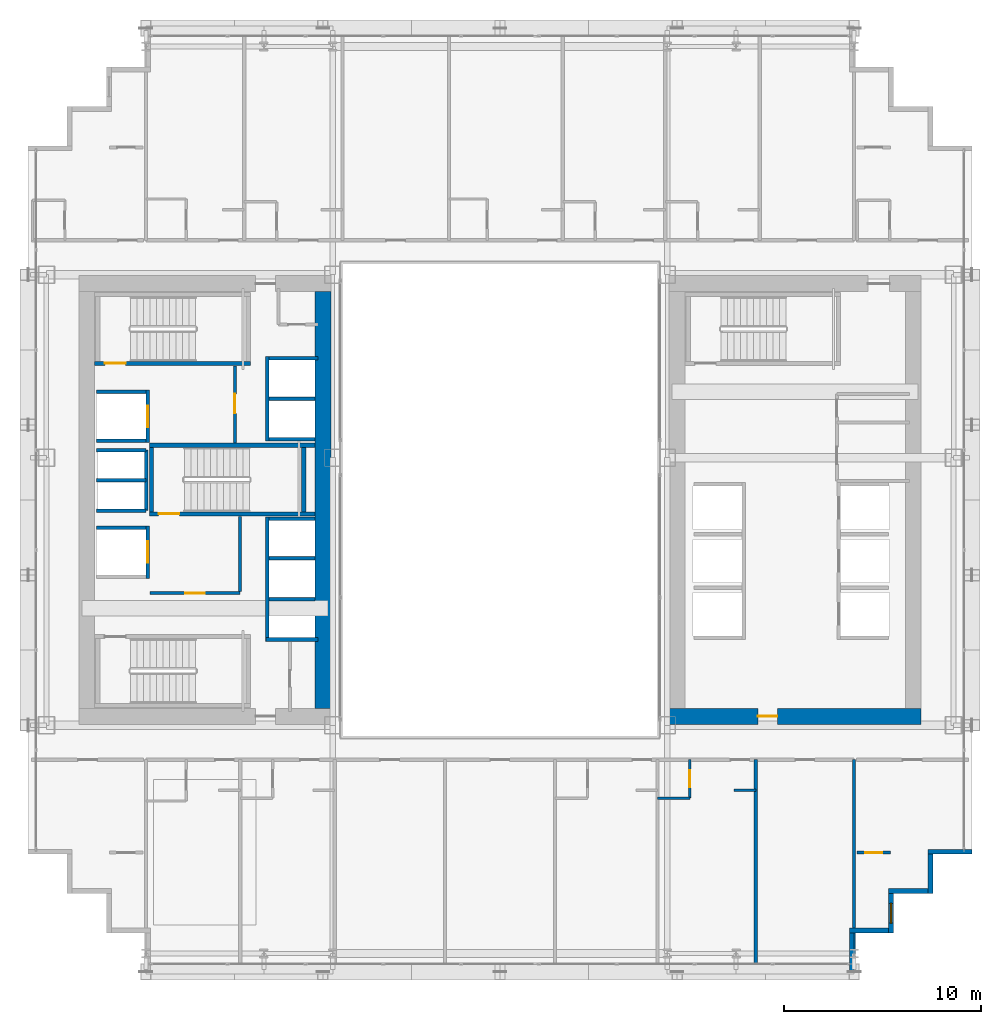
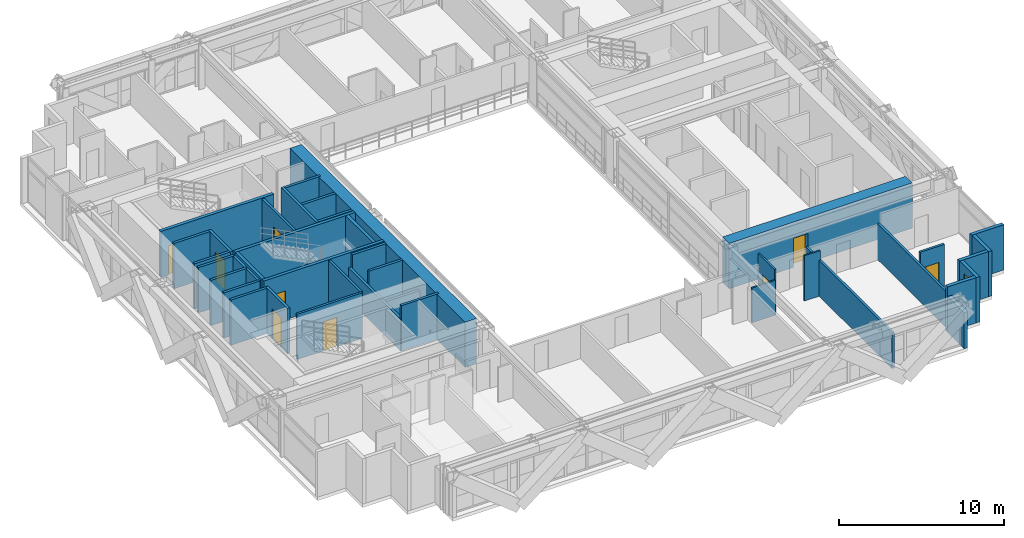
# One storey, part 34 of 41: 40 walls, 9 doors, 1 window, 10 openings.
"""IFC4 building model written with IfcOpenShell, lengths in metres."""

from ifc_helpers import new_model, si_unit, direction, frame, frame_2d, origin, place, context, subcontext, project, spatial, rectangle, extrude, source, transform, mapped, material, layer, layer_set, type_object, element, fill, save


model = new_model("IFC4")

# Units and contexts
model_context = context("Model", 3, precision=1e-05, world=origin(), true_north=direction((0.0, 1.0)))
body_context = subcontext(model_context, "Body", "Model", "MODEL_VIEW")
ifc_project = project(units=[si_unit("LENGTHUNIT", "METRE"), si_unit("AREAUNIT", "SQUARE_METRE"), si_unit("VOLUMEUNIT", "CUBIC_METRE"), si_unit("PLANEANGLEUNIT", "RADIAN"), si_unit("MASSUNIT", "GRAM", prefix="KILO")], contexts=[model_context])

# Site, building, storey
site_placement = place(None, origin())
site = spatial("IfcSite", under=ifc_project, at=site_placement, CompositionType="ELEMENT")
building_placement = place(site_placement, origin())
building = spatial("IfcBuilding", under=site, at=building_placement, Name="Ocotamira Hotel", CompositionType="ELEMENT")
storey_placement = place(building_placement, frame((0.0, 0.0, 67.199951171875)))
storey = spatial("IfcBuildingStorey", under=building, at=storey_placement, Name="L16", CompositionType="ELEMENT", Elevation=67.199951171875)

# Wall
ifc_material_1 = material(Name="Concrete C60/75", Category="concrete")
ifc_layer_1 = layer(ifc_material_1, 0.800048828125)
ifc_layer_set_1 = layer_set([ifc_layer_1], Name="Concrete C60/75")
wall_type_1 = type_object("IfcWallType", Name="WL-CORE-800", PredefinedType="SHEAR", material=ifc_layer_set_1)
wall_1_placement = place(storey_placement, frame((23.0, 15.39990234375, 0.0), z_axis=(0.0, 0.0, 1.0), x_axis=(0.0, 1.0, 0.0)))
element("IfcWall", 1, at=wall_1_placement, inside=storey, type_object=wall_type_1, Name="L16 Shear Core Wall WCORE-E", PredefinedType="SHEAR", context=body_context, shape_type="SweptSolid", body=[
    extrude(rectangle(XDim=21.2001953125, YDim=0.800048828125, at=frame_2d((10.60009765625, 0.0))), origin(), (0.0, 0.0, 1.0), 3.35009765625),
])

# Wall, opening, door
wall_2_placement = place(storey_placement, frame((40.60009765625, 15.0, 0.0), z_axis=(0.0, 0.0, 1.0), x_axis=(1.0, 0.0, 0.0)))
wall_2 = element("IfcWall", 2, at=wall_2_placement, inside=storey, type_object=wall_type_1, Name="L16 Shear Core Wall ECORE-S", PredefinedType="SHEAR", context=body_context, shape_type="SweptSolid", body=[
    extrude(rectangle(XDim=12.7998046875, YDim=0.800048828125, at=frame_2d((6.39990234375, 0.0))), origin(), (0.0, 0.0, 1.0), 3.35009765625),
])
opening_1_placement = place(wall_2_placement, frame((4.5, 0.0, 0.0)))
opening_1 = element("IfcOpeningElement", 3, at=opening_1_placement, cuts=wall_2, Name="Opening D-FR2", PredefinedType="OPENING", context=body_context, shape_type="SweptSolid", body=[
    extrude(rectangle(XDim=1.0, YDim=2.14990234375, at=frame_2d((0.5, 1.074951171875))), frame((0.0, 0.41015625, 0.0), z_axis=(0.0, -1.0, 0.0), x_axis=(1.0, 0.0, 0.0)), (0.0, 0.0, 1.0), 0.820068359375),
])
ifc_material_2 = material(Name="Fire-rated acoustic timber-veneer door", Category="wood")
door_type_1 = type_object("IfcDoorType", Name="DR-FIRE-1000", OperationType="NOTDEFINED", PredefinedType="DOOR", material=ifc_material_2)
shared_shape_1 = source(origin(), body_context, "Body", "SweptSolid", [
    extrude(rectangle(XDim=1.0, YDim=2.14990234375, at=frame_2d((0.5, 1.074951171875))), frame((0.0, 0.02490234375, 0.0), z_axis=(0.0, -1.0, 0.0), x_axis=(1.0, 0.0, 0.0)), (0.0, 0.0, 1.0), 0.050048828125),
])
door_1_placement = place(opening_1_placement, origin())
door_1 = element("IfcDoor", 4, at=door_1_placement, inside=storey, type_object=door_type_1, Name="L16 Door ID-L16-ELOB-S-D [ID-L16-ELOB-S-D]", OperationType="SINGLE_SWING_RIGHT", OverallHeight=2.14990234375, OverallWidth=1.0, PredefinedType="DOOR", context=body_context, shape_type="MappedRepresentation", body=[
    mapped(shared_shape_1, transform((0.0, 0.0, 0.0), scale=1.0)),
])
fill(opening_1, door_1)

# Walls
ifc_material_3 = material(Name="Precast concrete C45/55", Category="concrete")
ifc_layer_2 = layer(ifc_material_3, 0.25)
ifc_layer_set_2 = layer_set([ifc_layer_2], Name="Precast concrete C45/55")
wall_type_2 = type_object("IfcWallType", Name="WL-EXT-SER-250", PredefinedType="SOLIDWALL", material=ifc_layer_set_2)
wall_3_placement = place(storey_placement, frame((49.875, 2.0, 0.0), z_axis=(0.0, 0.0, 1.0), x_axis=(0.0, 1.0, 0.0)))
element("IfcWall", 5, at=wall_3_placement, inside=storey, type_object=wall_type_2, Name="L16 Serrated Corner Wall 01", PredefinedType="SOLIDWALL", context=body_context, shape_type="SweptSolid", body=[
    extrude(rectangle(XDim=2.0, YDim=0.25, at=frame_2d((1.0, 0.0))), origin(), (0.0, 0.0, 1.0), 2.656982421875),
])
wall_4_placement = place(storey_placement, frame((49.75, 4.125, 0.0), z_axis=(0.0, 0.0, 1.0), x_axis=(1.0, 0.0, 0.0)))
element("IfcWall", 6, at=wall_4_placement, inside=storey, type_object=wall_type_2, Name="L16 Serrated Corner Wall 02", PredefinedType="SOLIDWALL", context=body_context, shape_type="SweptSolid", body=[
    extrude(rectangle(XDim=2.0, YDim=0.25, at=frame_2d((1.0, 0.0))), origin(), (0.0, 0.0, 1.0), 3.35009765625),
])

# Wall, opening, window
wall_5_placement = place(storey_placement, frame((51.875, 4.0, 0.0), z_axis=(0.0, 0.0, 1.0), x_axis=(0.0, 1.0, 0.0)))
wall_5 = element("IfcWall", 7, at=wall_5_placement, inside=storey, type_object=wall_type_2, Name="L16 Serrated Corner Wall 03", PredefinedType="SOLIDWALL", context=body_context, shape_type="SweptSolid", body=[
    extrude(rectangle(XDim=2.0, YDim=0.25, at=frame_2d((1.0, 0.0))), origin(), (0.0, 0.0, 1.0), 3.35009765625),
])
opening_2_placement = place(wall_5_placement, frame((0.5, 0.0, 0.85009765625)))
opening_2 = element("IfcOpeningElement", 8, at=opening_2_placement, cuts=wall_5, Name="Opening WN-2", PredefinedType="OPENING", context=body_context, shape_type="SweptSolid", body=[
    extrude(rectangle(XDim=1.0, YDim=1.89990234375, at=frame_2d((0.5, 0.949951171875))), frame((0.0, 0.135009765625, 0.0), z_axis=(0.0, -1.0, 0.0), x_axis=(1.0, 0.0, 0.0)), (0.0, 0.0, 1.0), 0.27001953125),
])
ifc_material_4 = material(Name="Double-silver low-E solar glass", Category="glass")
window_type = type_object("IfcWindowType", Name="WIN-SER-1100", PartitioningType="SINGLE_PANEL", PredefinedType="WINDOW", material=ifc_material_4)
shared_shape_2 = source(origin(), body_context, "Body", "SweptSolid", [
    extrude(rectangle(XDim=1.0, YDim=1.89990234375, at=frame_2d((0.5, 0.949951171875))), frame((0.0, 0.030029296875, 0.0), z_axis=(0.0, -1.0, 0.0), x_axis=(1.0, 0.0, 0.0)), (0.0, 0.0, 1.0), 0.06005859375),
])
window_placement = place(opening_2_placement, origin())
window = element("IfcWindow", 9, at=window_placement, inside=storey, type_object=window_type, Name="L16 Serrated Corner Window 03", OverallHeight=1.89990234375, OverallWidth=1.0, PartitioningType="SINGLE_PANEL", PredefinedType="WINDOW", context=body_context, shape_type="MappedRepresentation", body=[
    mapped(shared_shape_2, transform((0.0, 0.0, 0.0), scale=1.0)),
])
fill(opening_2, window)

# Walls
for number, where, z_axis, x_axis, name in (
    (10, (51.75, 6.125, 0.0), (0.0, 0.0, 1.0), (1.0, 0.0, 0.0), "L16 Serrated Corner Wall 04"),
    (11, (53.875, 6.0, 0.0), (0.0, 0.0, 1.0), (0.0, 1.0, 0.0), "L16 Serrated Corner Wall 05"),
):
    element("IfcWall", number, at=place(storey_placement, frame(where, z_axis=z_axis, x_axis=x_axis)), inside=storey, type_object=wall_type_2, Name=name, PredefinedType="SOLIDWALL", context=body_context, shape_type="SweptSolid", body=[
        extrude(rectangle(XDim=2.0, YDim=0.25, at=frame_2d((1.0, 0.0))), origin(), (0.0, 0.0, 1.0), 3.35009765625),
    ])
wall_6_placement = place(storey_placement, frame((53.75, 8.125, 0.0), z_axis=(0.0, 0.0, 1.0), x_axis=(1.0, 0.0, 0.0)))
element("IfcWall", 12, at=wall_6_placement, inside=storey, type_object=wall_type_2, Name="L16 Serrated Corner Wall 06", PredefinedType="SOLIDWALL", context=body_context, shape_type="SweptSolid", body=[
    extrude(rectangle(XDim=2.25, YDim=0.25, at=frame_2d((1.125, 0.0))), origin(), (0.0, 0.0, 1.0), 3.35009765625),
])

# Wall, opening, door
ifc_material_5 = material(Name="Acoustic double-layer fire gypsum board partition", Category="gypsum")
ifc_layer_3 = layer(ifc_material_5, 0.159912109375)
ifc_layer_set_3 = layer_set([ifc_layer_3], Name="Acoustic double-layer fire gypsum board partition")
wall_type_3 = type_object("IfcWallType", Name="WL-FIRE-160", PredefinedType="PARTITIONING", material=ifc_layer_set_3)
wall_7_placement = place(storey_placement, frame((14.199951171875, 21.27001953125, 0.0), z_axis=(0.0, 0.0, 1.0), x_axis=(1.0, 0.0, 0.0)))
wall_7 = element("IfcWall", 13, at=wall_7_placement, inside=storey, type_object=wall_type_3, Name="L16 Interior Wall PW-L16-FSAE1-S", PredefinedType="PARTITIONING", context=body_context, shape_type="SweptSolid", body=[
    extrude(rectangle(XDim=4.580078125, YDim=0.159912109375, at=frame_2d((2.2900390625, 0.0))), origin(), (0.0, 0.0, 1.0), 3.35009765625),
])
opening_3_placement = place(wall_7_placement, frame((1.800048828125, 0.0, 0.0)))
opening_3 = element("IfcOpeningElement", 14, at=opening_3_placement, cuts=wall_7, Name="Opening D-FR2", PredefinedType="OPENING", context=body_context, shape_type="SweptSolid", body=[
    extrude(rectangle(XDim=1.0, YDim=2.14990234375, at=frame_2d((0.5, 1.074951171875))), frame((0.0, 0.08984375, 0.0), z_axis=(0.0, -1.0, 0.0), x_axis=(1.0, 0.0, 0.0)), (0.0, 0.0, 1.0), 0.179931640625),
])
door_2_placement = place(opening_3_placement, origin())
door_2 = element("IfcDoor", 15, at=door_2_placement, inside=storey, type_object=door_type_1, Name="L16 Door ID-L16-FSAE1-D [ID-L16-FSAE1-D]", OperationType="SINGLE_SWING_LEFT", OverallHeight=2.14990234375, OverallWidth=1.0, PredefinedType="DOOR", context=body_context, shape_type="MappedRepresentation", body=[
    mapped(shared_shape_1, transform((0.0, 0.0, 0.0), scale=1.0)),
])
fill(opening_3, door_2)

# Wall
wall_8_placement = place(storey_placement, frame((18.780029296875, 21.35009765625, 0.0), z_axis=(0.0, 0.0, 1.0), x_axis=(0.0, 1.0, 0.0)))
element("IfcWall", 16, at=wall_8_placement, inside=storey, type_object=wall_type_3, Name="L16 Interior Wall PW-L16-FSAE1-E", PredefinedType="PARTITIONING", context=body_context, shape_type="SweptSolid", body=[
    extrude(rectangle(XDim=3.809814453125, YDim=0.159912109375, at=frame_2d((1.90478515625, 0.0))), origin(), (0.0, 0.0, 1.0), 3.35009765625),
])

# Wall, opening, door
wall_9_placement = place(storey_placement, frame((18.530029296875, 28.89990234375, 0.0), z_axis=(0.0, 0.0, 1.0), x_axis=(0.0, 1.0, 0.0)))
wall_9 = element("IfcWall", 17, at=wall_9_placement, inside=storey, type_object=wall_type_3, Name="L16 Interior Wall PW-L16-FSAE2-E", PredefinedType="PARTITIONING", context=body_context, shape_type="SweptSolid", body=[
    extrude(rectangle(XDim=3.900146484375, YDim=0.159912109375, at=frame_2d((1.9501953125, 0.0))), origin(), (0.0, 0.0, 1.0), 3.35009765625),
])
opening_4_placement = place(wall_9_placement, frame((1.5, 0.0, 0.0)))
opening_4 = element("IfcOpeningElement", 18, at=opening_4_placement, cuts=wall_9, Name="Opening D-FR2", PredefinedType="OPENING", context=body_context, shape_type="SweptSolid", body=[
    extrude(rectangle(XDim=1.0, YDim=2.14990234375, at=frame_2d((0.5, 1.074951171875))), frame((0.0, 0.08984375, 0.0), z_axis=(0.0, -1.0, 0.0), x_axis=(1.0, 0.0, 0.0)), (0.0, 0.0, 1.0), 0.179931640625),
])
door_3_placement = place(opening_4_placement, origin())
door_3 = element("IfcDoor", 19, at=door_3_placement, inside=storey, type_object=door_type_1, Name="L16 Door ID-L16-FSAE2-D [ID-L16-FSAE2-D]", OperationType="SINGLE_SWING_RIGHT", OverallHeight=2.14990234375, OverallWidth=1.0, PredefinedType="DOOR", context=body_context, shape_type="MappedRepresentation", body=[
    mapped(shared_shape_1, transform((0.0, 0.0, 0.0), scale=1.0)),
])
fill(opening_4, door_3)

wall_10_placement = place(storey_placement, frame((50.14990234375, 8.080078125, 0.0), z_axis=(0.0, 0.0, 1.0), x_axis=(1.0, 0.0, 0.0)))
wall_10 = element("IfcWall", 20, at=wall_10_placement, inside=storey, type_object=wall_type_3, Name="L16 Interior Wall PW-L16-Z1D-CSE2-CW", PredefinedType="PARTITIONING", context=body_context, shape_type="SweptSolid", body=[
    extrude(rectangle(XDim=1.7001953125, YDim=0.159912109375, at=frame_2d((0.85009765625, 0.0))), origin(), (0.0, 0.0, 1.0), 3.35009765625),
])
opening_5_placement = place(wall_10_placement, frame((0.409912109375, 0.0, 0.0)))
opening_5 = element("IfcOpeningElement", 21, at=opening_5_placement, cuts=wall_10, Name="Opening D-SV2", PredefinedType="OPENING", context=body_context, shape_type="SweptSolid", body=[
    extrude(rectangle(XDim=0.8798828125, YDim=2.14990234375, at=frame_2d((0.43994140625, 1.074951171875))), frame((0.0, 0.08984375, 0.0), z_axis=(0.0, -1.0, 0.0), x_axis=(1.0, 0.0, 0.0)), (0.0, 0.0, 1.0), 0.179931640625),
])
ifc_material_6 = material(Name="Fire-rated painted steel service door", Category="steel")
door_type_2 = type_object("IfcDoorType", Name="DR-SERV-880", OperationType="NOTDEFINED", PredefinedType="DOOR", material=ifc_material_6)
shared_shape_3 = source(origin(), body_context, "Body", "SweptSolid", [
    extrude(rectangle(XDim=0.8798828125, YDim=2.14990234375, at=frame_2d((0.43994140625, 1.074951171875))), frame((0.0, 0.02490234375, 0.0), z_axis=(0.0, -1.0, 0.0), x_axis=(1.0, 0.0, 0.0)), (0.0, 0.0, 1.0), 0.050048828125),
])
door_4_placement = place(opening_5_placement, origin())
door_4 = element("IfcDoor", 22, at=door_4_placement, inside=storey, type_object=door_type_2, Name="L16 Door ID-L16-Z1D-CSE2-CD [ID-L16-Z1D-CSE2-CD]", OperationType="SINGLE_SWING_LEFT", OverallHeight=2.14990234375, OverallWidth=0.8798828125, PredefinedType="DOOR", context=body_context, shape_type="MappedRepresentation", body=[
    mapped(shared_shape_3, transform((0.0, 0.0, 0.0), scale=1.0)),
])
fill(opening_5, door_4)

ifc_material_7 = material(Name="Moisture-resistant en-suite tile and gypsum partition", Category="gypsum")
ifc_layer_4 = layer(ifc_material_7, 0.1201171875)
ifc_layer_set_4 = layer_set([ifc_layer_4], Name="Moisture-resistant en-suite tile and gypsum partition")
wall_type_4 = type_object("IfcWallType", Name="WL-PART-120", PredefinedType="PARTITIONING", material=ifc_layer_set_4)
wall_11_placement = place(storey_placement, frame((41.64990234375, 10.85009765625, 0.0), z_axis=(0.0, 0.0, 1.0), x_axis=(0.0, 1.0, 0.0)))
wall_11 = element("IfcWall", 23, at=wall_11_placement, inside=storey, type_object=wall_type_4, Name="L16 Interior Wall PW-L16-Z1DS-BAE6", PredefinedType="PARTITIONING", context=body_context, shape_type="SweptSolid", body=[
    extrude(rectangle(XDim=1.949951171875, YDim=0.1201171875, at=frame_2d((0.97509765625, 0.0))), origin(), (0.0, 0.0, 1.0), 3.35009765625),
])
opening_6_placement = place(wall_11_placement, frame((0.544921875, 0.0, 0.0)))
opening_6 = element("IfcOpeningElement", 24, at=opening_6_placement, cuts=wall_11, Name="Opening D-BA1", PredefinedType="OPENING", context=body_context, shape_type="SweptSolid", body=[
    extrude(rectangle(XDim=0.860107421875, YDim=2.10009765625, at=frame_2d((0.43017578125, 1.050048828125))), frame((0.0, 0.070068359375, 0.0), z_axis=(0.0, -1.0, 0.0), x_axis=(1.0, 0.0, 0.0)), (0.0, 0.0, 1.0), 0.14013671875),
])
ifc_material_8 = material(Name="Moisture-sealed en-suite timber door", Category="wood")
door_type_3 = type_object("IfcDoorType", Name="DR-BATH-860", OperationType="NOTDEFINED", PredefinedType="DOOR", material=ifc_material_8)
shared_shape_4 = source(origin(), body_context, "Body", "SweptSolid", [
    extrude(rectangle(XDim=0.860107421875, YDim=2.10009765625, at=frame_2d((0.43017578125, 1.050048828125))), frame((0.0, 0.02490234375, 0.0), z_axis=(0.0, -1.0, 0.0), x_axis=(1.0, 0.0, 0.0)), (0.0, 0.0, 1.0), 0.050048828125),
])
door_5_placement = place(opening_6_placement, origin())
door_5 = element("IfcDoor", 25, at=door_5_placement, inside=storey, type_object=door_type_3, Name="L16 Door ID-L16-Z1DS-BAD6 [ID-L16-Z1DS-BAD6]", OperationType="SINGLE_SWING_LEFT", OverallHeight=2.10009765625, OverallWidth=0.860107421875, PredefinedType="DOOR", context=body_context, shape_type="MappedRepresentation", body=[
    mapped(shared_shape_4, transform((0.0, 0.0, 0.0), scale=1.0)),
])
fill(opening_6, door_5)

# Walls
wall_12_placement = place(storey_placement, frame((40.0, 10.85009765625, 0.0), z_axis=(0.0, 0.0, 1.0), x_axis=(1.0, 0.0, 0.0)))
element("IfcWall", 26, at=wall_12_placement, inside=storey, type_object=wall_type_4, Name="L16 Interior Wall PW-L16-Z1DS-BAS6", PredefinedType="PARTITIONING", context=body_context, shape_type="SweptSolid", body=[
    extrude(rectangle(XDim=1.64990234375, YDim=0.1201171875, at=frame_2d((0.824951171875, 0.0))), origin(), (0.0, 0.0, 1.0), 2.571044921875),
])
wall_13_placement = place(storey_placement, frame((43.89990234375, 11.25, 0.0), z_axis=(0.0, 0.0, 1.0), x_axis=(1.0, 0.0, 0.0)))
element("IfcWall", 27, at=wall_13_placement, inside=storey, type_object=wall_type_4, Name="L16 Interior Wall PW-L16-Z1DS-DRN6", PredefinedType="PARTITIONING", context=body_context, shape_type="SweptSolid", body=[
    extrude(rectangle(XDim=1.10009765625, YDim=0.1201171875, at=frame_2d((0.550048828125, 0.0))), origin(), (0.0, 0.0, 1.0), 3.35009765625),
])
ifc_material_9 = material(Name="Acoustic double-stud hospitality gypsum partition", Category="gypsum")
ifc_layer_5 = layer(ifc_material_9, 0.159912109375)
ifc_layer_set_5 = layer_set([ifc_layer_5], Name="Acoustic double-stud hospitality gypsum partition")
wall_type_5 = type_object("IfcWallType", Name="WL-PART-160", PredefinedType="PARTITIONING", material=ifc_layer_set_5)
for number, where, z_axis, x_axis, name in (
    (28, (50.0, 2.360107421875, 0.0), (0.0, 0.0, 1.0), (0.0, 1.0, 0.0), "L16 Interior Wall PW-L16-Z1DS-PWEND"),
    (29, (45.0, 2.360107421875, 0.0), (0.0, 0.0, 1.0), (0.0, 1.0, 0.0), "L16 Interior Wall PW-L16-Z1DS-PW6"),
):
    element("IfcWall", number, at=place(storey_placement, frame(where, z_axis=z_axis, x_axis=x_axis)), inside=storey, type_object=wall_type_5, Name=name, PredefinedType="PARTITIONING", context=body_context, shape_type="SweptSolid", body=[
        extrude(rectangle(XDim=10.43994140625, YDim=0.159912109375, at=frame_2d((5.219970703125, 0.0))), origin(), (0.0, 0.0, 1.0), 2.656982421875),
    ])
ifc_material_10 = material(Name="Fire-rated gypsum shaftliner board assembly", Category="gypsum")
ifc_layer_6 = layer(ifc_material_10, 0.179931640625)
ifc_layer_set_6 = layer_set([ifc_layer_6], Name="Fire-rated gypsum shaftliner board assembly")
wall_type_6 = type_object("IfcWallType", Name="WL-SHAFT-180", PredefinedType="SOLIDWALL", material=ifc_layer_set_6)
wall_14_placement = place(storey_placement, frame((20.159912109375, 18.820068359375, 0.0), z_axis=(0.0, 0.0, 1.0), x_axis=(0.0, 1.0, 0.0)))
element("IfcWall", 30, at=wall_14_placement, inside=storey, type_object=wall_type_6, Name="L16 Interior Wall PW-L16-LFW-BANK-high-F", PredefinedType="SOLIDWALL", context=body_context, shape_type="SweptSolid", body=[
    extrude(rectangle(XDim=6.31982421875, YDim=0.179931640625, at=frame_2d((3.159912109375, 0.0))), origin(), (0.0, 0.0, 1.0), 2.360107421875),
])
wall_15_placement = place(storey_placement, frame((20.1201171875, 18.909912109375, 0.0), z_axis=(0.0, 0.0, 1.0), x_axis=(1.0, 0.0, 0.0)))
element("IfcWall", 31, at=wall_15_placement, inside=storey, type_object=wall_type_6, Name="L16 Interior Wall PW-L16-LFW-BANK-high-S", PredefinedType="SOLIDWALL", context=body_context, shape_type="SweptSolid", body=[
    extrude(rectangle(XDim=2.6298828125, YDim=0.179931640625, at=frame_2d((1.31494140625, 0.0))), origin(), (0.0, 0.0, 1.0), 3.35009765625),
])
wall_16_placement = place(storey_placement, frame((20.25, 25.050048828125, 0.0), z_axis=(0.0, 0.0, 1.0), x_axis=(1.0, 0.0, 0.0)))
element("IfcWall", 32, at=wall_16_placement, inside=storey, type_object=wall_type_6, Name="L16 Interior Wall PW-L16-LFW-BANK-high-N", PredefinedType="SOLIDWALL", context=body_context, shape_type="SweptSolid", body=[
    extrude(rectangle(XDim=2.360107421875, YDim=0.179931640625, at=frame_2d((1.18017578125, 0.0))), origin(), (0.0, 0.0, 1.0), 3.35009765625),
])
wall_17_placement = place(storey_placement, frame((20.25, 20.965087890625, 0.0), z_axis=(0.0, 0.0, 1.0), x_axis=(1.0, 0.0, 0.0)))
element("IfcWall", 33, at=wall_17_placement, inside=storey, type_object=wall_type_6, Name="L16 Interior Wall PW-L16-LFW-DIV-LF-P7", PredefinedType="SOLIDWALL", context=body_context, shape_type="SweptSolid", body=[
    extrude(rectangle(XDim=2.360107421875, YDim=0.179931640625, at=frame_2d((1.18017578125, 0.0))), origin(), (0.0, 0.0, 1.0), 2.360107421875),
])
wall_18_placement = place(storey_placement, frame((20.25, 23.044921875, 0.0), z_axis=(0.0, 0.0, 1.0), x_axis=(1.0, 0.0, 0.0)))
element("IfcWall", 34, at=wall_18_placement, inside=storey, type_object=wall_type_6, Name="L16 Interior Wall PW-L16-LFW-DIV-LF-P8", PredefinedType="SOLIDWALL", context=body_context, shape_type="SweptSolid", body=[
    extrude(rectangle(XDim=2.360107421875, YDim=0.179931640625, at=frame_2d((1.18017578125, 0.0))), origin(), (0.0, 0.0, 1.0), 3.35009765625),
])
wall_19_placement = place(storey_placement, frame((20.159912109375, 29.0, 0.0), z_axis=(0.0, 0.0, 1.0), x_axis=(0.0, 1.0, 0.0)))
element("IfcWall", 35, at=wall_19_placement, inside=storey, type_object=wall_type_6, Name="L16 Interior Wall PW-L16-LFW-BANK-obs-F", PredefinedType="SOLIDWALL", context=body_context, shape_type="SweptSolid", body=[
    extrude(rectangle(XDim=4.2900390625, YDim=0.179931640625, at=frame_2d((2.14501953125, 0.0))), origin(), (0.0, 0.0, 1.0), 3.35009765625),
])
wall_20_placement = place(storey_placement, frame((20.25, 29.090087890625, 0.0), z_axis=(0.0, 0.0, 1.0), x_axis=(1.0, 0.0, 0.0)))
element("IfcWall", 36, at=wall_20_placement, inside=storey, type_object=wall_type_6, Name="L16 Interior Wall PW-L16-LFW-BANK-obs-S", PredefinedType="SOLIDWALL", context=body_context, shape_type="SweptSolid", body=[
    extrude(rectangle(XDim=2.360107421875, YDim=0.179931640625, at=frame_2d((1.18017578125, 0.0))), origin(), (0.0, 0.0, 1.0), 3.35009765625),
])
wall_21_placement = place(storey_placement, frame((20.25, 33.199951171875, 0.0), z_axis=(0.0, 0.0, 1.0), x_axis=(1.0, 0.0, 0.0)))
element("IfcWall", 37, at=wall_21_placement, inside=storey, type_object=wall_type_6, Name="L16 Interior Wall PW-L16-LFW-BANK-obs-N", PredefinedType="SOLIDWALL", context=body_context, shape_type="SweptSolid", body=[
    extrude(rectangle(XDim=2.5, YDim=0.179931640625, at=frame_2d((1.25, 0.0))), origin(), (0.0, 0.0, 1.0), 3.35009765625),
])
wall_22_placement = place(storey_placement, frame((20.25, 31.14501953125, 0.0), z_axis=(0.0, 0.0, 1.0), x_axis=(1.0, 0.0, 0.0)))
element("IfcWall", 38, at=wall_22_placement, inside=storey, type_object=wall_type_6, Name="L16 Interior Wall PW-L16-LFW-DIV-LF-OBS1", PredefinedType="SOLIDWALL", context=body_context, shape_type="SweptSolid", body=[
    extrude(rectangle(XDim=2.360107421875, YDim=0.179931640625, at=frame_2d((1.18017578125, 0.0))), origin(), (0.0, 0.0, 1.0), 3.35009765625),
])
wall_23_placement = place(storey_placement, frame((11.5, 24.590087890625, 0.0), z_axis=(0.0, 0.0, 1.0), x_axis=(1.0, 0.0, 0.0)))
element("IfcWall", 39, at=wall_23_placement, inside=storey, type_object=wall_type_6, Name="L16 Interior Wall PW-L16-LFW-LF-FSAE1-N", PredefinedType="SOLIDWALL", context=body_context, shape_type="SweptSolid", body=[
    extrude(rectangle(XDim=2.5, YDim=0.179931640625, at=frame_2d((1.25, 0.0))), origin(), (0.0, 0.0, 1.0), 3.35009765625),
])

# Wall, opening, door
wall_24_placement = place(storey_placement, frame((14.090087890625, 22.02001953125, 0.0), z_axis=(0.0, 0.0, 1.0), x_axis=(0.0, 1.0, 0.0)))
wall_24 = element("IfcWall", 40, at=wall_24_placement, inside=storey, type_object=wall_type_6, Name="L16 Interior Wall PW-L16-LFW-LF-FSAE1-E", PredefinedType="SOLIDWALL", context=body_context, shape_type="SweptSolid", body=[
    extrude(rectangle(XDim=2.659912109375, YDim=0.179931640625, at=frame_2d((1.330078125, 0.0))), origin(), (0.0, 0.0, 1.0), 3.35009765625),
])
opening_7_placement = place(wall_24_placement, frame((0.780029296875, 0.0, 0.0)))
opening_7 = element("IfcOpeningElement", 41, at=opening_7_placement, cuts=wall_24, Name="Opening LD-LF-FSAE1", PredefinedType="OPENING", context=body_context, shape_type="SweptSolid", body=[
    extrude(rectangle(XDim=1.10009765625, YDim=2.199951171875, at=frame_2d((0.550048828125, 1.10009765625))), frame((0.0, 0.10009765625, 0.0), z_axis=(0.0, -1.0, 0.0), x_axis=(1.0, 0.0, 0.0)), (0.0, 0.0, 1.0), 0.199951171875),
])
ifc_material_11 = material(Name="Brushed pale-metal stainless elevator landing door", Category="steel")
door_type_4 = type_object("IfcDoorType", Name="DR-LIFT-1100", OperationType="NOTDEFINED", PredefinedType="DOOR", material=ifc_material_11)
shared_shape_5 = source(origin(), body_context, "Body", "SweptSolid", [
    extrude(rectangle(XDim=1.10009765625, YDim=2.199951171875, at=frame_2d((0.550048828125, 1.10009765625))), frame((0.0, 0.02490234375, 0.0), z_axis=(0.0, -1.0, 0.0), x_axis=(1.0, 0.0, 0.0)), (0.0, 0.0, 1.0), 0.050048828125),
])
door_6_placement = place(opening_7_placement, origin())
door_6 = element("IfcDoor", 42, at=door_6_placement, inside=storey, type_object=door_type_4, Name="L16 Landing Door LD-LF-FSAE1 [ID-L16-LD-LF-FSAE1]", OperationType="DOUBLE_DOOR_SLIDING", OverallHeight=2.199951171875, OverallWidth=1.10009765625, PredefinedType="DOOR", context=body_context, shape_type="MappedRepresentation", body=[
    mapped(shared_shape_5, transform((0.0, 0.0, 0.0), scale=1.0)),
])
fill(opening_7, door_6)

# Walls
for number, where, z_axis, x_axis, name in (
    (43, (11.5, 29.010009765625, 0.0), (0.0, 0.0, 1.0), (1.0, 0.0, 0.0), "L16 Interior Wall PW-L16-LFW-LF-FSAE2-S"),
    (44, (11.5, 31.489990234375, 0.0), (0.0, 0.0, 1.0), (1.0, 0.0, 0.0), "L16 Interior Wall PW-L16-LFW-LF-FSAE2-N"),
):
    element("IfcWall", number, at=place(storey_placement, frame(where, z_axis=z_axis, x_axis=x_axis)), inside=storey, type_object=wall_type_6, Name=name, PredefinedType="SOLIDWALL", context=body_context, shape_type="SweptSolid", body=[
        extrude(rectangle(XDim=2.5, YDim=0.179931640625, at=frame_2d((1.25, 0.0))), origin(), (0.0, 0.0, 1.0), 3.35009765625),
    ])

# Wall, opening, door
wall_25_placement = place(storey_placement, frame((14.090087890625, 28.919921875, 0.0), z_axis=(0.0, 0.0, 1.0), x_axis=(0.0, 1.0, 0.0)))
wall_25 = element("IfcWall", 45, at=wall_25_placement, inside=storey, type_object=wall_type_6, Name="L16 Interior Wall PW-L16-LFW-LF-FSAE2-E", PredefinedType="SOLIDWALL", context=body_context, shape_type="SweptSolid", body=[
    extrude(rectangle(XDim=2.66015625, YDim=0.179931640625, at=frame_2d((1.330078125, 0.0))), origin(), (0.0, 0.0, 1.0), 3.35009765625),
])
opening_8_placement = place(wall_25_placement, frame((0.780029296875, 0.0, 0.0)))
opening_8 = element("IfcOpeningElement", 46, at=opening_8_placement, cuts=wall_25, Name="Opening LD-LF-FSAE2", PredefinedType="OPENING", context=body_context, shape_type="SweptSolid", body=[
    extrude(rectangle(XDim=1.10009765625, YDim=2.199951171875, at=frame_2d((0.550048828125, 1.10009765625))), frame((0.0, 0.10009765625, 0.0), z_axis=(0.0, -1.0, 0.0), x_axis=(1.0, 0.0, 0.0)), (0.0, 0.0, 1.0), 0.199951171875),
])
door_7_placement = place(opening_8_placement, origin())
door_7 = element("IfcDoor", 47, at=door_7_placement, inside=storey, type_object=door_type_4, Name="L16 Landing Door LD-LF-FSAE2 [ID-L16-LD-LF-FSAE2]", OperationType="DOUBLE_DOOR_SLIDING", OverallHeight=2.199951171875, OverallWidth=1.10009765625, PredefinedType="DOOR", context=body_context, shape_type="MappedRepresentation", body=[
    mapped(shared_shape_5, transform((0.0, 0.0, 0.0), scale=1.0)),
])
fill(opening_8, door_7)

# Walls
for number, where, z_axis, x_axis, name in (
    (48, (11.5, 25.4599609375, 0.0), (0.0, 0.0, 1.0), (1.0, 0.0, 0.0), "L16 Interior Wall PW-L16-RSW-S"),
    (49, (11.5, 27.0, 0.0), (0.0, 0.0, 1.0), (1.0, 0.0, 0.0), "L16 Interior Wall PW-L16-RSW-MID"),
    (50, (11.5, 28.5400390625, 0.0), (0.0, 0.0, 1.0), (1.0, 0.0, 0.0), "L16 Interior Wall PW-L16-RSW-N"),
):
    element("IfcWall", number, at=place(storey_placement, frame(where, z_axis=z_axis, x_axis=x_axis)), inside=storey, type_object=wall_type_6, Name=name, PredefinedType="SOLIDWALL", context=body_context, shape_type="SweptSolid", body=[
        extrude(rectangle(XDim=2.510009765625, YDim=0.179931640625, at=frame_2d((1.2548828125, 0.0))), origin(), (0.0, 0.0, 1.0), 3.35009765625),
    ])
wall_26_placement = place(storey_placement, frame((14.010009765625, 25.4599609375, 0.0), z_axis=(0.0, 0.0, 1.0), x_axis=(0.0, 1.0, 0.0)))
element("IfcWall", 51, at=wall_26_placement, inside=storey, type_object=wall_type_6, Name="L16 Interior Wall PW-L16-RSW-E", PredefinedType="SOLIDWALL", context=body_context, shape_type="SweptSolid", body=[
    extrude(rectangle(XDim=3.080078125, YDim=0.179931640625, at=frame_2d((1.5400390625, 0.0))), origin(), (0.0, 0.0, 1.0), 3.35009765625),
])

# Wall, opening, door
ifc_material_12 = material(Name="Concrete C50/60", Category="concrete")
ifc_layer_7 = layer(ifc_material_12, 0.219970703125)
ifc_layer_set_7 = layer_set([ifc_layer_7], Name="Concrete C50/60")
wall_type_7 = type_object("IfcWallType", Name="WL-STAIR-220", PredefinedType="SHEAR", material=ifc_layer_set_7)
wall_27_placement = place(storey_placement, frame((11.39990234375, 32.93994140625, 0.0), z_axis=(0.0, 0.0, 1.0), x_axis=(1.0, 0.0, 0.0)))
wall_27 = element("IfcWall", 52, at=wall_27_placement, inside=storey, type_object=wall_type_7, Name="L16 Stair Shaft Structural Wall ST-2-S", PredefinedType="SHEAR", context=body_context, shape_type="SweptSolid", body=[
    extrude(rectangle(XDim=7.91015625, YDim=0.219970703125, at=frame_2d((3.955078125, 0.0))), origin(), (0.0, 0.0, 1.0), 3.400146484375),
])
opening_9_placement = place(wall_27_placement, frame((0.52001953125, 0.0, 0.0)))
opening_9 = element("IfcOpeningElement", 53, at=opening_9_placement, cuts=wall_27, Name="Opening D-ST2", PredefinedType="OPENING", context=body_context, shape_type="SweptSolid", body=[
    extrude(rectangle(XDim=1.050048828125, YDim=2.14990234375, at=frame_2d((0.52490234375, 1.074951171875))), frame((0.0, 0.1201171875, 0.0), z_axis=(0.0, -1.0, 0.0), x_axis=(1.0, 0.0, 0.0)), (0.0, 0.0, 1.0), 0.239990234375),
])
ifc_material_13 = material(Name="Insulated painted hollow-metal fire exit door", Category="steel")
door_type_5 = type_object("IfcDoorType", Name="DR-STAIR-1050", OperationType="NOTDEFINED", PredefinedType="DOOR", material=ifc_material_13)
shared_shape_6 = source(origin(), body_context, "Body", "SweptSolid", [
    extrude(rectangle(XDim=1.050048828125, YDim=2.14990234375, at=frame_2d((0.52490234375, 1.074951171875))), frame((0.0, 0.02490234375, 0.0), z_axis=(0.0, -1.0, 0.0), x_axis=(1.0, 0.0, 0.0)), (0.0, 0.0, 1.0), 0.050048828125),
])
door_8_placement = place(opening_9_placement, origin())
door_8 = element("IfcDoor", 54, at=door_8_placement, inside=storey, type_object=door_type_5, Name="L16 Door ID-L16-STD-ST-2 [ID-L16-STD-ST-2]", OperationType="SINGLE_SWING_RIGHT", OverallHeight=2.14990234375, OverallWidth=1.050048828125, PredefinedType="DOOR", context=body_context, shape_type="MappedRepresentation", body=[
    mapped(shared_shape_6, transform((0.0, 0.0, 0.0), scale=1.0)),
])
fill(opening_9, door_8)

wall_28_placement = place(storey_placement, frame((14.179931640625, 25.2900390625, 0.0), z_axis=(0.0, 0.0, 1.0), x_axis=(1.0, 0.0, 0.0)))
wall_28 = element("IfcWall", 55, at=wall_28_placement, inside=storey, type_object=wall_type_7, Name="L16 Stair Shaft Structural Wall ST-3-S", PredefinedType="SHEAR", context=body_context, shape_type="SweptSolid", body=[
    extrude(rectangle(XDim=8.420166015625, YDim=0.219970703125, at=frame_2d((4.2099609375, 0.0))), origin(), (0.0, 0.0, 1.0), 3.400146484375),
])
opening_10_placement = place(wall_28_placement, frame((0.469970703125, 0.0, 0.0)))
opening_10 = element("IfcOpeningElement", 56, at=opening_10_placement, cuts=wall_28, Name="Opening D-ST2", PredefinedType="OPENING", context=body_context, shape_type="SweptSolid", body=[
    extrude(rectangle(XDim=1.050048828125, YDim=2.14990234375, at=frame_2d((0.52490234375, 1.074951171875))), frame((0.0, 0.1201171875, 0.0), z_axis=(0.0, -1.0, 0.0), x_axis=(1.0, 0.0, 0.0)), (0.0, 0.0, 1.0), 0.239990234375),
])
door_9_placement = place(opening_10_placement, origin())
door_9 = element("IfcDoor", 57, at=door_9_placement, inside=storey, type_object=door_type_5, Name="L16 Door ID-L16-STD-ST-3 [ID-L16-STD-ST-3]", OperationType="SINGLE_SWING_LEFT", OverallHeight=2.14990234375, OverallWidth=1.050048828125, PredefinedType="DOOR", context=body_context, shape_type="MappedRepresentation", body=[
    mapped(shared_shape_6, transform((0.0, 0.0, 0.0), scale=1.0)),
])
fill(opening_10, door_9)

# Walls
wall_29_placement = place(storey_placement, frame((14.179931640625, 28.7900390625, 0.0), z_axis=(0.0, 0.0, 1.0), x_axis=(1.0, 0.0, 0.0)))
element("IfcWall", 58, at=wall_29_placement, inside=storey, type_object=wall_type_7, Name="L16 Stair Shaft Structural Wall ST-3-N", PredefinedType="SHEAR", context=body_context, shape_type="SweptSolid", body=[
    extrude(rectangle(XDim=8.420166015625, YDim=0.219970703125, at=frame_2d((4.2099609375, 0.0))), origin(), (0.0, 0.0, 1.0), 3.400146484375),
])
for number, where, z_axis, x_axis, name in (
    (59, (14.2900390625, 25.39990234375, 0.0), (0.0, 0.0, 1.0), (0.0, 1.0, 0.0), "L16 Stair Shaft Structural Wall ST-3-W"),
    (60, (22.030029296875, 25.39990234375, 0.0), (0.0, 0.0, 1.0), (0.0, 1.0, 0.0), "L16 Stair Shaft Structural Wall ST-3-E"),
):
    element("IfcWall", number, at=place(storey_placement, frame(where, z_axis=z_axis, x_axis=x_axis)), inside=storey, type_object=wall_type_7, Name=name, PredefinedType="SHEAR", context=body_context, shape_type="SweptSolid", body=[
        extrude(rectangle(XDim=3.280029296875, YDim=0.219970703125, at=frame_2d((1.64013671875, 0.0))), origin(), (0.0, 0.0, 1.0), 3.400146484375),
    ])

save(model, "model.ifc")
